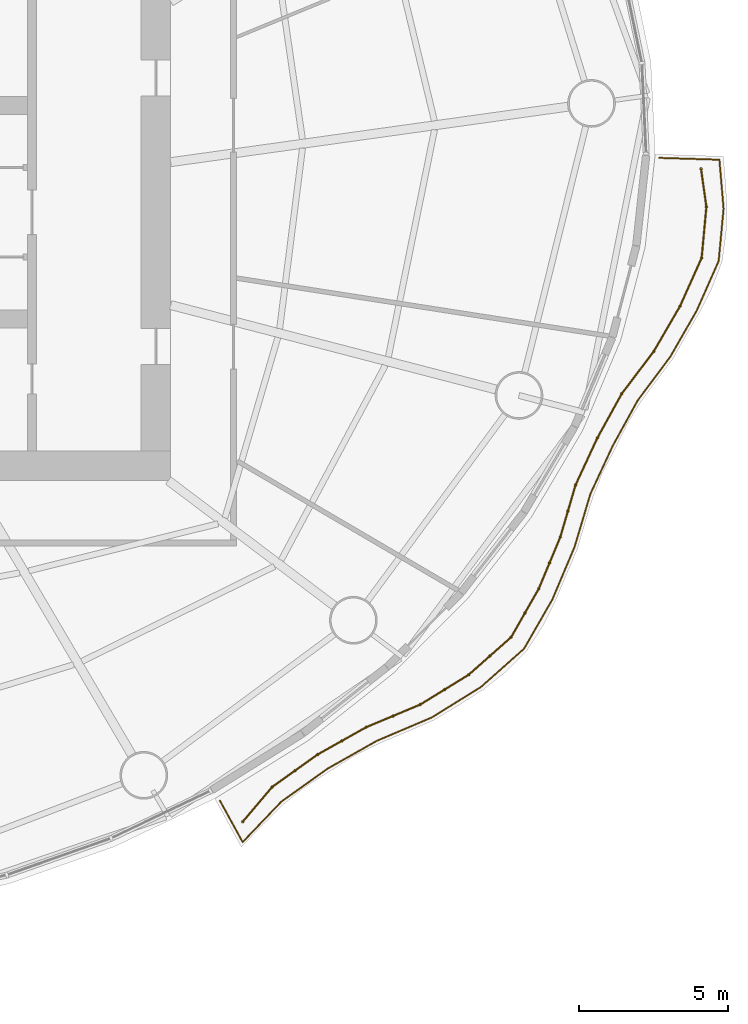
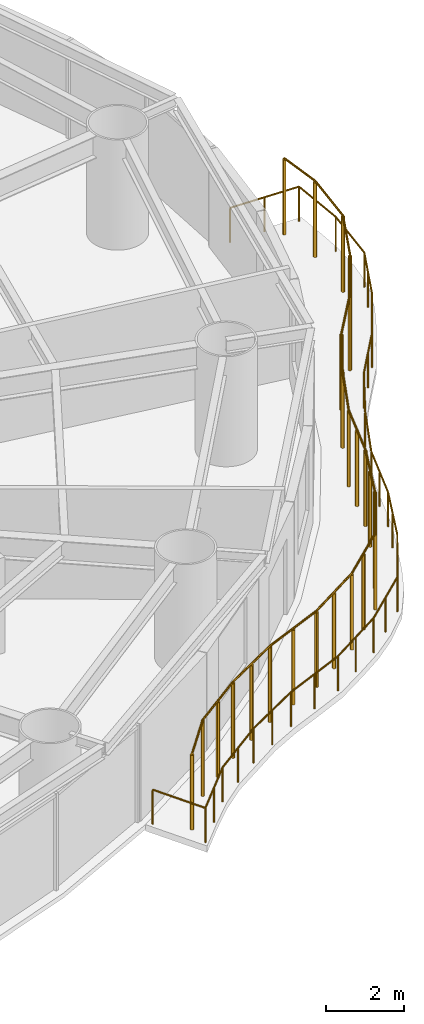
# One storey, part 13 of 16: 2 railings.
"""IFC4 building model written with IfcOpenShell, lengths in metres."""

from ifc_helpers import new_model, si_unit, direction, frame, origin, origin_2d, place, context, subcontext, project, spatial, circle, extrude, material, type_object, element, save


model = new_model("IFC4")

# Units and contexts
model_context = context("Model", 3, precision=1e-05, world=origin(), true_north=direction((0.0, 1.0)))
body_context = subcontext(model_context, "Body", "Model", "MODEL_VIEW")
ifc_project = project(units=[si_unit("LENGTHUNIT", "METRE"), si_unit("AREAUNIT", "SQUARE_METRE"), si_unit("VOLUMEUNIT", "CUBIC_METRE"), si_unit("PLANEANGLEUNIT", "RADIAN"), si_unit("MASSUNIT", "GRAM", prefix="KILO")], contexts=[model_context])

# Site, building, storey
site_placement = place(None, origin())
site = spatial("IfcSite", under=ifc_project, at=site_placement, CompositionType="ELEMENT")
building_placement = place(site_placement, origin())
building = spatial("IfcBuilding", under=site, at=building_placement, Name="Vermilion Reach Broadcast Tower", CompositionType="ELEMENT")
storey_placement = place(building_placement, frame((0.0, 0.0, 99.39990234375)))
storey = spatial("IfcBuildingStorey", under=building, at=storey_placement, Name="L22", CompositionType="ELEMENT", Elevation=99.39990234375)

# Railings
ifc_material_1 = material(Name="Terracotta baguette", Category="masonry")
railing_type_1 = type_object("IfcRailingType", Name="BAGUETTE SCREEN", PredefinedType="USERDEFINED", material=ifc_material_1)
railing_1_placement = place(storey_placement, frame((8.414794921875, -20.4384765625, 0.0)))
element("IfcRailing", 1, at=railing_1_placement, inside=storey, type_object=railing_type_1, Name="Baguette screen L22 group 4", ObjectType="BAGUETTE SCREEN", PredefinedType="USERDEFINED", context=body_context, shape_type="SweptSolid", body=[
    extrude(circle(Radius=0.030029296875, at=origin_2d()), frame((0.0, 0.0, 2.369873046875), z_axis=(0.646264635429, 0.763113373618, 0.0), x_axis=(-0.763113373618, 0.646264635429, 0.0)), (0.0, 0.0, 1.0), 1.52734375),
    extrude(circle(Radius=0.030029296875, at=origin_2d()), frame((0.987060546875, 1.16552734375, 2.369873046875), z_axis=(0.813759849918, 0.581201261752, 0.0), x_axis=(-0.581201261752, 0.813759849918, 0.0)), (0.0, 0.0, 1.0), 1.8759765625),
    extrude(circle(Radius=0.030029296875, at=origin_2d()), frame((2.513671875, 2.255859375, 2.369873046875), z_axis=(0.871708294355, 0.49002515196, 0.0), x_axis=(-0.49002515196, 0.871708294355, 0.0)), (0.0, 0.0, 1.0), 1.86572265625),
    extrude(circle(Radius=0.030029296875, at=origin_2d()), frame((4.14013671875, 3.170166015625, 2.369873046875), z_axis=(0.922454369764, 0.386106119744, 0.0), x_axis=(-0.386106119744, 0.922454369764, 0.0)), (0.0, 0.0, 1.0), 1.964599609375),
    extrude(circle(Radius=0.030029296875, at=origin_2d()), frame((5.952392578125, 3.9287109375, 2.369873046875), z_axis=(0.851588001682, 0.524211670407, 0.0), x_axis=(-0.524211670407, 0.851588001682, 0.0)), (0.0, 0.0, 1.0), 1.90771484375),
    extrude(circle(Radius=0.030029296875, at=origin_2d()), frame((7.576904296875, 4.9287109375, 2.369873046875), z_axis=(0.749138994043, 0.662412837742, 0.0), x_axis=(-0.662412837742, 0.749138994043, 0.0)), (0.0, 0.0, 1.0), 1.8974609375),
    extrude(circle(Radius=0.030029296875, at=origin_2d()), frame((8.998291015625, 6.185546875, 2.369873046875), z_axis=(0.495633187965, 0.868531947016, 0.0), x_axis=(-0.868531947016, 0.495633187965, 0.0)), (0.0, 0.0, 1.0), 1.871826171875),
    extrude(circle(Radius=0.030029296875, at=origin_2d()), frame((9.926025390625, 7.811279296875, 2.369873046875), z_axis=(0.384680066326, 0.923049969705, 0.0), x_axis=(-0.923049969705, 0.384680066326, 0.0)), (0.0, 0.0, 1.0), 1.8759765625),
    extrude(circle(Radius=0.030029296875, at=origin_2d()), frame((10.647705078125, 9.54296875, 2.369873046875), z_axis=(0.281193825147, 0.959650995258, 0.0), x_axis=(-0.959650995258, 0.281193825147, 0.0)), (0.0, 0.0, 1.0), 1.821533203125),
    extrude(circle(Radius=0.030029296875, at=origin_2d()), frame((11.159912109375, 11.291015625, 2.369873046875), z_axis=(0.420288729076, 0.907390425458, 0.0), x_axis=(-0.907390425458, 0.420288729076, 0.0)), (0.0, 0.0, 1.0), 1.735595703125),
    extrude(circle(Radius=0.030029296875, at=origin_2d()), frame((11.889404296875, 12.865966796875, 2.369873046875), z_axis=(0.482848572727, 0.875703863081, 0.0), x_axis=(-0.875703863081, 0.482848572727, 0.0)), (0.0, 0.0, 1.0), 1.69287109375),
    extrude(circle(Radius=0.030029296875, at=origin_2d()), frame((12.706787109375, 14.348388671875, 2.369873046875), z_axis=(0.602995705613, 0.797744432142, 0.0), x_axis=(-0.797744432142, 0.602995705613, 0.0)), (0.0, 0.0, 1.0), 1.783935546875),
    extrude(circle(Radius=0.030029296875, at=origin_2d()), frame((13.782470703125, 15.771484375, 2.369873046875), z_axis=(0.502293491407, 0.864697200464, 0.0), x_axis=(-0.864697200464, 0.502293491407, 0.0)), (0.0, 0.0, 1.0), 1.752197265625),
    extrude(circle(Radius=0.030029296875, at=origin_2d()), frame((14.66259765625, 17.28662109375, 2.369873046875), z_axis=(0.40870409833, 0.912666949116, 0.0), x_axis=(-0.912666949116, 0.40870409833, 0.0)), (0.0, 0.0, 1.0), 1.7734375),
    extrude(circle(Radius=0.030029296875, at=origin_2d()), frame((15.387451171875, 18.9052734375, 2.369873046875), z_axis=(0.092459385262, 0.995716456667, 0.0), x_axis=(-0.995716456667, 0.092459385262, 0.0)), (0.0, 0.0, 1.0), 1.71630859375),
    extrude(circle(Radius=0.030029296875, at=origin_2d()), frame((15.546142578125, 20.6142578125, 2.369873046875), z_axis=(-0.139158707427, 0.990270091514, 0.0), x_axis=(-0.990270091514, -0.139158707427, 0.0)), (0.0, 0.0, 1.0), 1.2841796875),
    extrude(circle(Radius=0.050048828125, at=origin_2d()), origin(), (0.0, 0.0, 1.0), 2.33984375),
    extrude(circle(Radius=0.050048828125, at=origin_2d()), frame((0.987060546875, 1.16552734375, 0.0)), (0.0, 0.0, 1.0), 2.33984375),
    extrude(circle(Radius=0.050048828125, at=origin_2d()), frame((1.75048828125, 1.710693359375, 0.0)), (0.0, 0.0, 1.0), 2.33984375),
    extrude(circle(Radius=0.050048828125, at=origin_2d()), frame((2.513671875, 2.255859375, 0.0)), (0.0, 0.0, 1.0), 2.33984375),
    extrude(circle(Radius=0.050048828125, at=origin_2d()), frame((3.326904296875, 2.712890625, 0.0)), (0.0, 0.0, 1.0), 2.33984375),
    extrude(circle(Radius=0.050048828125, at=origin_2d()), frame((4.14013671875, 3.170166015625, 0.0)), (0.0, 0.0, 1.0), 2.33984375),
    extrude(circle(Radius=0.050048828125, at=origin_2d()), frame((5.04638671875, 3.54931640625, 0.0)), (0.0, 0.0, 1.0), 2.33984375),
    extrude(circle(Radius=0.050048828125, at=origin_2d()), frame((5.952392578125, 3.9287109375, 0.0)), (0.0, 0.0, 1.0), 2.33984375),
    extrude(circle(Radius=0.050048828125, at=origin_2d()), frame((6.7646484375, 4.4287109375, 0.0)), (0.0, 0.0, 1.0), 2.33984375),
    extrude(circle(Radius=0.050048828125, at=origin_2d()), frame((7.576904296875, 4.9287109375, 0.0)), (0.0, 0.0, 1.0), 2.33984375),
    extrude(circle(Radius=0.050048828125, at=origin_2d()), frame((8.28759765625, 5.55712890625, 0.0)), (0.0, 0.0, 1.0), 2.33984375),
    extrude(circle(Radius=0.050048828125, at=origin_2d()), frame((8.998291015625, 6.185546875, 0.0)), (0.0, 0.0, 1.0), 2.33984375),
    extrude(circle(Radius=0.050048828125, at=origin_2d()), frame((9.462158203125, 6.99853515625, 0.0)), (0.0, 0.0, 1.0), 2.33984375),
    extrude(circle(Radius=0.050048828125, at=origin_2d()), frame((9.926025390625, 7.811279296875, 0.0)), (0.0, 0.0, 1.0), 2.33984375),
    extrude(circle(Radius=0.050048828125, at=origin_2d()), frame((10.286865234375, 8.67724609375, 0.0)), (0.0, 0.0, 1.0), 2.33984375),
    extrude(circle(Radius=0.050048828125, at=origin_2d()), frame((10.647705078125, 9.54296875, 0.0)), (0.0, 0.0, 1.0), 2.33984375),
    extrude(circle(Radius=0.050048828125, at=origin_2d()), frame((10.90380859375, 10.4169921875, 0.0)), (0.0, 0.0, 1.0), 2.33984375),
    extrude(circle(Radius=0.050048828125, at=origin_2d()), frame((11.159912109375, 11.291015625, 0.0)), (0.0, 0.0, 1.0), 2.33984375),
    extrude(circle(Radius=0.050048828125, at=origin_2d()), frame((11.889404296875, 12.865966796875, 0.0)), (0.0, 0.0, 1.0), 2.33984375),
    extrude(circle(Radius=0.050048828125, at=origin_2d()), frame((12.706787109375, 14.348388671875, 0.0)), (0.0, 0.0, 1.0), 2.33984375),
    extrude(circle(Radius=0.050048828125, at=origin_2d()), frame((13.782470703125, 15.771484375, 0.0)), (0.0, 0.0, 1.0), 2.33984375),
    extrude(circle(Radius=0.050048828125, at=origin_2d()), frame((14.66259765625, 17.28662109375, 0.0)), (0.0, 0.0, 1.0), 2.33984375),
    extrude(circle(Radius=0.050048828125, at=origin_2d()), frame((15.387451171875, 18.9052734375, 0.0)), (0.0, 0.0, 1.0), 2.33984375),
    extrude(circle(Radius=0.050048828125, at=origin_2d()), frame((15.546142578125, 20.6142578125, 0.0)), (0.0, 0.0, 1.0), 2.33984375),
    extrude(circle(Radius=0.050048828125, at=origin_2d()), frame((15.367431640625, 21.885986328125, 0.0)), (0.0, 0.0, 1.0), 2.33984375),
])
ifc_material_2 = material(Name="Stainless steel 316 balustrade", Category="steel")
railing_type_2 = type_object("IfcRailingType", Name="Balcony guard 1100", PredefinedType="BALUSTRADE", material=ifc_material_2)
railing_2_placement = place(storey_placement, frame((7.652587890625, -19.733154296875, 0.0)))
element("IfcRailing", 2, at=railing_2_placement, inside=storey, type_object=railing_type_2, Name="Balcony guard L22 group 4", PredefinedType="BALUSTRADE", context=body_context, shape_type="SweptSolid", body=[
    extrude(circle(Radius=0.02490234375, at=origin_2d()), frame((0.0, 0.0, 1.0751953125), z_axis=(0.480580147894, -0.876950809026, 0.0), x_axis=(0.876950809026, 0.480580147894, 0.0)), (0.0, 0.0, 1.0), 1.5830078125),
    extrude(circle(Radius=0.02490234375, at=origin_2d()), frame((0.7607421875, -1.38818359375, 1.0751953125), z_axis=(0.69057485079, 0.723260931791, 0.0), x_axis=(-0.723260931791, 0.69057485079, 0.0)), (0.0, 0.0, 1.0), 1.874755859375),
    extrude(circle(Radius=0.02490234375, at=origin_2d()), frame((2.055419921875, -0.0322265625, 1.0751953125), z_axis=(0.814182661061, 0.580608813598, 0.0), x_axis=(-0.580608813598, 0.814182661061, 0.0)), (0.0, 0.0, 1.0), 1.90869140625),
    extrude(circle(Radius=0.02490234375, at=origin_2d()), frame((3.609375, 1.075927734375, 1.0751953125), z_axis=(0.870615533957, 0.491964014978, 0.0), x_axis=(-0.491964014978, 0.870615533957, 0.0)), (0.0, 0.0, 1.0), 1.898193359375),
    extrude(circle(Radius=0.02490234375, at=origin_2d()), frame((5.261962890625, 2.009765625, 1.0751953125), z_axis=(0.920499176002, 0.390744503454, 0.0), x_axis=(-0.390744503454, 0.920499176002, 0.0)), (0.0, 0.0, 1.0), 1.996826171875),
    extrude(circle(Radius=0.02490234375, at=origin_2d()), frame((7.10009765625, 2.7900390625, 1.0751953125), z_axis=(0.84971788751, 0.527237623511, 0.0), x_axis=(-0.527237623511, 0.84971788751, 0.0)), (0.0, 0.0, 1.0), 1.941162109375),
    extrude(circle(Radius=0.02490234375, at=origin_2d()), frame((8.74951171875, 3.8134765625, 1.0751953125), z_axis=(0.747980561676, 0.663720633516, 0.0), x_axis=(-0.663720633516, 0.747980561676, 0.0)), (0.0, 0.0, 1.0), 1.9326171875),
    extrude(circle(Radius=0.02490234375, at=origin_2d()), frame((10.195068359375, 5.09619140625, 1.0751953125), z_axis=(0.498495182142, 0.86689246933, 0.0), x_axis=(-0.86689246933, 0.498495182142, 0.0)), (0.0, 0.0, 1.0), 1.90673828125),
    extrude(circle(Radius=0.02490234375, at=origin_2d()), frame((11.1455078125, 6.7490234375, 1.0751953125), z_axis=(0.388890166774, 0.921284124571, 0.0), x_axis=(-0.921284124571, 0.388890166774, 0.0)), (0.0, 0.0, 1.0), 1.912353515625),
    extrude(circle(Radius=0.02490234375, at=origin_2d()), frame((11.88916015625, 8.5107421875, 1.0751953125), z_axis=(0.28653984757, 0.958068325202, 0.0), x_axis=(-0.958068325202, 0.28653984757, 0.0)), (0.0, 0.0, 1.0), 1.857421875),
    extrude(circle(Radius=0.02490234375, at=origin_2d()), frame((12.42138671875, 10.290283203125, 1.0751953125), z_axis=(0.421612394449, 0.906776151455, 0.0), x_axis=(-0.906776151455, 0.421612394449, 0.0)), (0.0, 0.0, 1.0), 1.77490234375),
    extrude(circle(Radius=0.02490234375, at=origin_2d()), frame((13.169677734375, 11.899658203125, 1.0751953125), z_axis=(0.481388359561, 0.876507414275, 0.0), x_axis=(-0.876507414275, 0.481388359561, 0.0)), (0.0, 0.0, 1.0), 1.73193359375),
    extrude(circle(Radius=0.02490234375, at=origin_2d()), frame((14.00341796875, 13.417724609375, 1.0751953125), z_axis=(0.59798428717, 0.801507824227, 0.0), x_axis=(-0.801507824227, 0.59798428717, 0.0)), (0.0, 0.0, 1.0), 1.8232421875),
    extrude(circle(Radius=0.02490234375, at=origin_2d()), frame((15.09375, 14.879150390625, 1.0751953125), z_axis=(0.497634184423, 0.867387006182, 0.0), x_axis=(-0.867387006182, 0.497634184423, 0.0)), (0.0, 0.0, 1.0), 1.792724609375),
    extrude(circle(Radius=0.02490234375, at=origin_2d()), frame((15.98583984375, 16.43408203125, 1.0751953125), z_axis=(0.404328664767, 0.914613760474, 0.0), x_axis=(-0.914613760474, 0.404328664767, 0.0)), (0.0, 0.0, 1.0), 1.815673828125),
    extrude(circle(Radius=0.02490234375, at=origin_2d()), frame((16.719970703125, 18.0947265625, 1.0751953125), z_axis=(0.093800629532, 0.995591001315, 0.0), x_axis=(-0.995591001315, 0.093800629532, 0.0)), (0.0, 0.0, 1.0), 1.759521484375),
    extrude(circle(Radius=0.02490234375, at=origin_2d()), frame((16.885009765625, 19.846435546875, 1.0751953125), z_axis=(-0.084906066378, 0.996388960142, 0.0), x_axis=(-0.996388960142, -0.084906066378, 0.0)), (0.0, 0.0, 1.0), 1.650390625),
    extrude(circle(Radius=0.02490234375, at=origin_2d()), frame((16.744873046875, 21.490966796875, 1.0751953125), z_axis=(-0.999530677828, 0.030633708236, 0.0), x_axis=(-0.030633708236, -0.999530677828, 0.0)), (0.0, 0.0, 1.0), 2.016357421875),
    extrude(circle(Radius=0.02490234375, at=origin_2d()), origin(), (0.0, 0.0, 1.0), 1.050048828125),
    extrude(circle(Radius=0.02490234375, at=origin_2d()), frame((0.7607421875, -1.38818359375, 0.0)), (0.0, 0.0, 1.0), 1.050048828125),
    extrude(circle(Radius=0.02490234375, at=origin_2d()), frame((1.408203125, -0.710205078125, 0.0)), (0.0, 0.0, 1.0), 1.050048828125),
    extrude(circle(Radius=0.02490234375, at=origin_2d()), frame((2.055419921875, -0.0322265625, 0.0)), (0.0, 0.0, 1.0), 1.050048828125),
    extrude(circle(Radius=0.02490234375, at=origin_2d()), frame((2.83251953125, 0.52197265625, 0.0)), (0.0, 0.0, 1.0), 1.050048828125),
    extrude(circle(Radius=0.02490234375, at=origin_2d()), frame((3.609375, 1.075927734375, 0.0)), (0.0, 0.0, 1.0), 1.050048828125),
    extrude(circle(Radius=0.02490234375, at=origin_2d()), frame((4.435546875, 1.54296875, 0.0)), (0.0, 0.0, 1.0), 1.050048828125),
    extrude(circle(Radius=0.02490234375, at=origin_2d()), frame((5.261962890625, 2.009765625, 0.0)), (0.0, 0.0, 1.0), 1.050048828125),
    extrude(circle(Radius=0.02490234375, at=origin_2d()), frame((6.18115234375, 2.39990234375, 0.0)), (0.0, 0.0, 1.0), 1.050048828125),
    extrude(circle(Radius=0.02490234375, at=origin_2d()), frame((7.10009765625, 2.7900390625, 0.0)), (0.0, 0.0, 1.0), 1.050048828125),
    extrude(circle(Radius=0.02490234375, at=origin_2d()), frame((7.9248046875, 3.3017578125, 0.0)), (0.0, 0.0, 1.0), 1.050048828125),
    extrude(circle(Radius=0.02490234375, at=origin_2d()), frame((8.74951171875, 3.8134765625, 0.0)), (0.0, 0.0, 1.0), 1.050048828125),
    extrude(circle(Radius=0.02490234375, at=origin_2d()), frame((9.47216796875, 4.454833984375, 0.0)), (0.0, 0.0, 1.0), 1.050048828125),
    extrude(circle(Radius=0.02490234375, at=origin_2d()), frame((10.195068359375, 5.09619140625, 0.0)), (0.0, 0.0, 1.0), 1.050048828125),
    extrude(circle(Radius=0.02490234375, at=origin_2d()), frame((10.67041015625, 5.922607421875, 0.0)), (0.0, 0.0, 1.0), 1.050048828125),
    extrude(circle(Radius=0.02490234375, at=origin_2d()), frame((11.1455078125, 6.7490234375, 0.0)), (0.0, 0.0, 1.0), 1.050048828125),
    extrude(circle(Radius=0.02490234375, at=origin_2d()), frame((11.517333984375, 7.6298828125, 0.0)), (0.0, 0.0, 1.0), 1.050048828125),
    extrude(circle(Radius=0.02490234375, at=origin_2d()), frame((11.88916015625, 8.5107421875, 0.0)), (0.0, 0.0, 1.0), 1.050048828125),
    extrude(circle(Radius=0.02490234375, at=origin_2d()), frame((12.1552734375, 9.400390625, 0.0)), (0.0, 0.0, 1.0), 1.050048828125),
    extrude(circle(Radius=0.02490234375, at=origin_2d()), frame((12.42138671875, 10.290283203125, 0.0)), (0.0, 0.0, 1.0), 1.050048828125),
    extrude(circle(Radius=0.02490234375, at=origin_2d()), frame((13.169677734375, 11.899658203125, 0.0)), (0.0, 0.0, 1.0), 1.050048828125),
    extrude(circle(Radius=0.02490234375, at=origin_2d()), frame((14.00341796875, 13.417724609375, 0.0)), (0.0, 0.0, 1.0), 1.050048828125),
    extrude(circle(Radius=0.02490234375, at=origin_2d()), frame((14.548583984375, 14.1484375, 0.0)), (0.0, 0.0, 1.0), 1.050048828125),
    extrude(circle(Radius=0.02490234375, at=origin_2d()), frame((15.09375, 14.879150390625, 0.0)), (0.0, 0.0, 1.0), 1.050048828125),
    extrude(circle(Radius=0.02490234375, at=origin_2d()), frame((15.98583984375, 16.43408203125, 0.0)), (0.0, 0.0, 1.0), 1.050048828125),
    extrude(circle(Radius=0.02490234375, at=origin_2d()), frame((16.35302734375, 17.264404296875, 0.0)), (0.0, 0.0, 1.0), 1.050048828125),
    extrude(circle(Radius=0.02490234375, at=origin_2d()), frame((16.719970703125, 18.0947265625, 0.0)), (0.0, 0.0, 1.0), 1.050048828125),
    extrude(circle(Radius=0.02490234375, at=origin_2d()), frame((16.885009765625, 19.846435546875, 0.0)), (0.0, 0.0, 1.0), 1.050048828125),
    extrude(circle(Radius=0.02490234375, at=origin_2d()), frame((16.744873046875, 21.490966796875, 0.0)), (0.0, 0.0, 1.0), 1.050048828125),
    extrude(circle(Radius=0.02490234375, at=origin_2d()), frame((15.7373046875, 21.52197265625, 0.0)), (0.0, 0.0, 1.0), 1.050048828125),
    extrude(circle(Radius=0.02490234375, at=origin_2d()), frame((14.7294921875, 21.552734375, 0.0)), (0.0, 0.0, 1.0), 1.050048828125),
])

save(model, "model.ifc")
